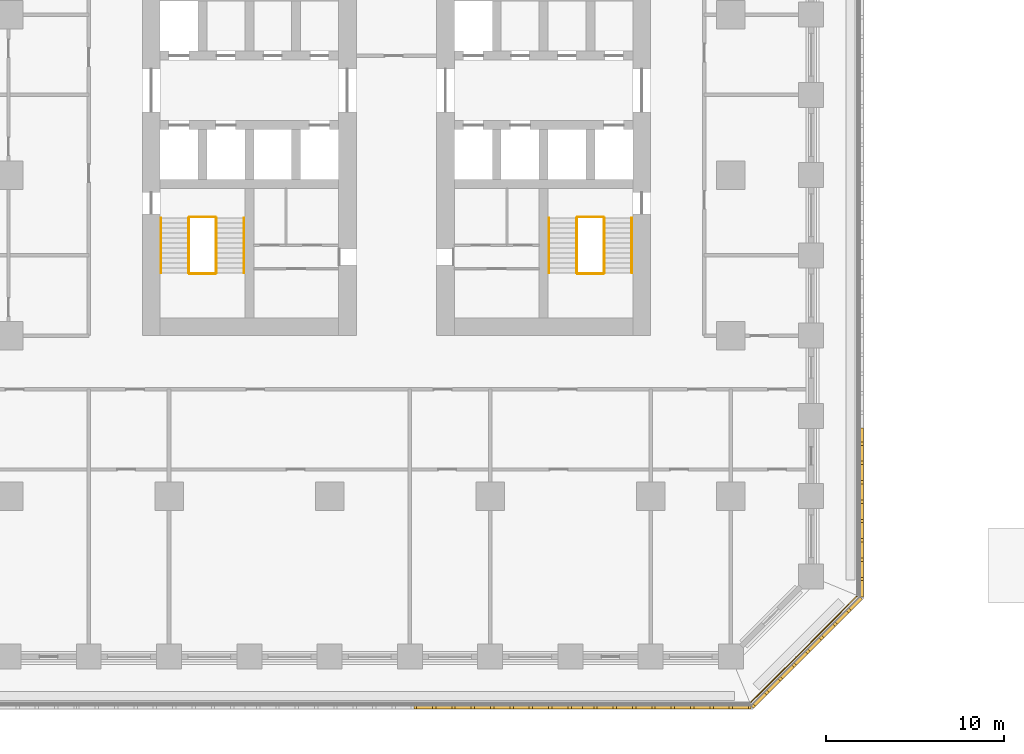
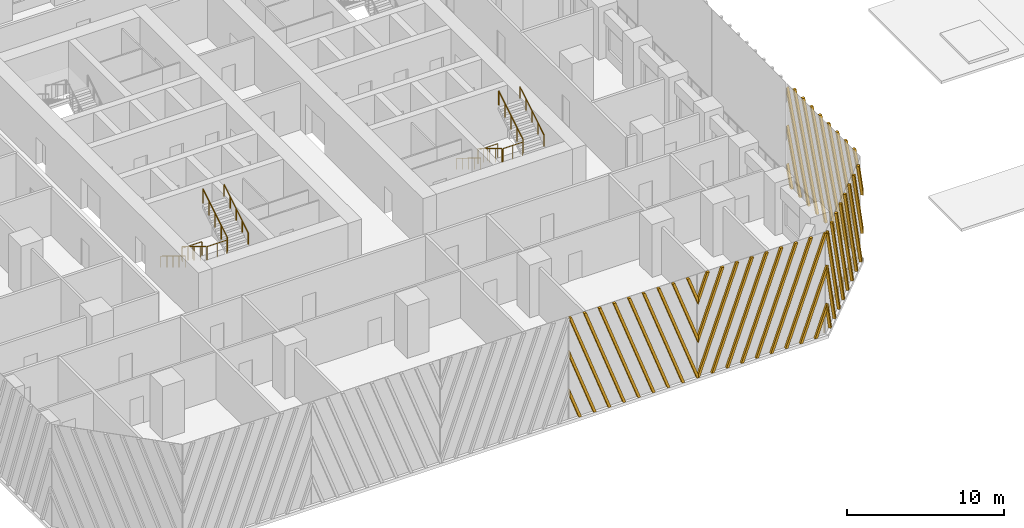
# One storey, part 11 of 15: 13 railings, 4 shading devices.
"""IFC4 building model written with IfcOpenShell, lengths in metres."""

from ifc_helpers import new_model, si_unit, direction, frame, origin, origin_2d, place, context, subcontext, project, spatial, polyline, circle, outline, extrude, source, transform, mapped, material, type_object, element, save


model = new_model("IFC4")

# Units and contexts
model_context = context("Model", 3, precision=1e-05, world=origin(), true_north=direction((0.0, 1.0)))
body_context = subcontext(model_context, "Body", "Model", "MODEL_VIEW")
ifc_project = project(units=[si_unit("LENGTHUNIT", "METRE"), si_unit("AREAUNIT", "SQUARE_METRE"), si_unit("VOLUMEUNIT", "CUBIC_METRE"), si_unit("PLANEANGLEUNIT", "RADIAN"), si_unit("MASSUNIT", "GRAM", prefix="KILO")], contexts=[model_context])

# Site, building, storey
site_placement = place(None, origin())
site = spatial("IfcSite", under=ifc_project, at=site_placement, CompositionType="ELEMENT")
building_placement = place(site_placement, origin())
building = spatial("IfcBuilding", under=site, at=building_placement, Name="Corbel Stack Research Tower", CompositionType="ELEMENT")
storey_placement = place(building_placement, frame((0.0, 0.0, 23.60009765625)))
storey = spatial("IfcBuildingStorey", under=building, at=storey_placement, Name="L05", CompositionType="ELEMENT", Elevation=23.60009765625)

# Railings
ifc_material_1 = material(Name="Steel S355", Category="steel")
railing_type_1 = type_object("IfcRailingType", Name="Stair guard 1100", PredefinedType="GUARDRAIL", material=ifc_material_1)
railing_1_placement = place(storey_placement, frame((-7.89990234375, -2.39990234375, 0.170654296875)))
element("IfcRailing", 1, at=railing_1_placement, inside=storey, type_object=railing_type_1, Name="L05 ST-W1 stair guard 1", PredefinedType="GUARDRAIL", context=body_context, shape_type="SweptSolid", body=[
    extrude(circle(Radius=0.02392578125, at=origin_2d()), frame((0.0, 0.0, 1.076171875), z_axis=(0.0, -0.853666305674, 0.52082035152), x_axis=(1.0, 0.0, 0.0)), (0.0, 0.0, 1.0), 3.608154296875),
    extrude(circle(Radius=0.02099609375, at=origin_2d()), origin(), (0.0, 0.0, 1.0), 1.052001953125),
    extrude(circle(Radius=0.02099609375, at=origin_2d()), frame((0.0, -0.77001953125, 0.4697265625)), (0.0, 0.0, 1.0), 1.052001953125),
    extrude(circle(Radius=0.02099609375, at=origin_2d()), frame((0.0, -1.5400390625, 0.939453125)), (0.0, 0.0, 1.0), 1.052001953125),
    extrude(circle(Radius=0.02099609375, at=origin_2d()), frame((0.0, -2.31005859375, 1.409423828125)), (0.0, 0.0, 1.0), 1.052001953125),
    extrude(circle(Radius=0.02099609375, at=origin_2d()), frame((0.0, -3.080078125, 1.879150390625)), (0.0, 0.0, 1.0), 1.052001953125),
])
railing_2_placement = place(storey_placement, frame((-7.85009765625, -5.530029296875, 2.0498046875)))
element("IfcRailing", 2, at=railing_2_placement, inside=storey, type_object=railing_type_1, Name="L05 ST-W1 stair guard 2", PredefinedType="GUARDRAIL", context=body_context, shape_type="SweptSolid", body=[
    extrude(circle(Radius=0.02392578125, at=origin_2d()), frame((0.0, 0.0, 1.076171875), z_axis=(1.0, 0.0, 0.0), x_axis=(0.0, 1.0, 0.0)), (0.0, 0.0, 1.0), 1.4501953125),
    extrude(circle(Radius=0.02099609375, at=origin_2d()), origin(), (0.0, 0.0, 1.0), 1.052001953125),
    extrude(circle(Radius=0.02099609375, at=origin_2d()), frame((0.72509765625, 0.0, 0.0)), (0.0, 0.0, 1.0), 1.052001953125),
    extrude(circle(Radius=0.02099609375, at=origin_2d()), frame((1.4501953125, 0.0, 0.0)), (0.0, 0.0, 1.0), 1.052001953125),
])
railing_3_placement = place(storey_placement, frame((-6.35009765625, -5.47998046875, 2.220703125)))
element("IfcRailing", 3, at=railing_3_placement, inside=storey, type_object=railing_type_1, Name="L05 ST-W1 stair guard 3", PredefinedType="GUARDRAIL", context=body_context, shape_type="SweptSolid", body=[
    extrude(circle(Radius=0.02392578125, at=origin_2d()), frame((0.0, 0.0, 1.076171875), z_axis=(0.0, 0.853666305674, 0.52082035152), x_axis=(-1.0, 0.0, 0.0)), (0.0, 0.0, 1.0), 3.608154296875),
    extrude(circle(Radius=0.02099609375, at=origin_2d()), origin(), (0.0, 0.0, 1.0), 1.052001953125),
    extrude(circle(Radius=0.02099609375, at=origin_2d()), frame((0.0, 0.77001953125, 0.4697265625)), (0.0, 0.0, 1.0), 1.052001953125),
    extrude(circle(Radius=0.02099609375, at=origin_2d()), frame((0.0, 1.5400390625, 0.939453125)), (0.0, 0.0, 1.0), 1.052001953125),
    extrude(circle(Radius=0.02099609375, at=origin_2d()), frame((0.0, 2.31005859375, 1.409423828125)), (0.0, 0.0, 1.0), 1.052001953125),
    extrude(circle(Radius=0.02099609375, at=origin_2d()), frame((0.0, 3.080078125, 1.879150390625)), (0.0, 0.0, 1.0), 1.052001953125),
])
railing_4_placement = place(storey_placement, frame((-7.85009765625, -2.35009765625, 0.0)))
element("IfcRailing", 4, at=railing_4_placement, inside=storey, type_object=railing_type_1, Name="L05 ST-W1 stair guard 4", PredefinedType="GUARDRAIL", context=body_context, shape_type="SweptSolid", body=[
    extrude(circle(Radius=0.02392578125, at=origin_2d()), frame((0.0, 0.0, 1.076171875), z_axis=(1.0, 0.0, 0.0), x_axis=(0.0, 1.0, 0.0)), (0.0, 0.0, 1.0), 1.4501953125),
    extrude(circle(Radius=0.02099609375, at=origin_2d()), origin(), (0.0, 0.0, 1.0), 1.052001953125),
    extrude(circle(Radius=0.02099609375, at=origin_2d()), frame((0.72509765625, 0.0, 0.0)), (0.0, 0.0, 1.0), 1.052001953125),
    extrude(circle(Radius=0.02099609375, at=origin_2d()), frame((1.4501953125, 0.0, 0.0)), (0.0, 0.0, 1.0), 1.052001953125),
])
railing_5_placement = place(storey_placement, frame((13.85009765625, -2.39990234375, 0.170654296875)))
element("IfcRailing", 5, at=railing_5_placement, inside=storey, type_object=railing_type_1, Name="L05 ST-E1 stair guard 1", PredefinedType="GUARDRAIL", context=body_context, shape_type="SweptSolid", body=[
    extrude(circle(Radius=0.02392578125, at=origin_2d()), frame((0.0, 0.0, 1.076171875), z_axis=(0.0, -0.853666305674, 0.52082035152), x_axis=(1.0, 0.0, 0.0)), (0.0, 0.0, 1.0), 3.608154296875),
    extrude(circle(Radius=0.02099609375, at=origin_2d()), origin(), (0.0, 0.0, 1.0), 1.052001953125),
    extrude(circle(Radius=0.02099609375, at=origin_2d()), frame((0.0, -0.77001953125, 0.4697265625)), (0.0, 0.0, 1.0), 1.052001953125),
    extrude(circle(Radius=0.02099609375, at=origin_2d()), frame((0.0, -1.5400390625, 0.939453125)), (0.0, 0.0, 1.0), 1.052001953125),
    extrude(circle(Radius=0.02099609375, at=origin_2d()), frame((0.0, -2.31005859375, 1.409423828125)), (0.0, 0.0, 1.0), 1.052001953125),
    extrude(circle(Radius=0.02099609375, at=origin_2d()), frame((0.0, -3.080078125, 1.879150390625)), (0.0, 0.0, 1.0), 1.052001953125),
])
railing_6_placement = place(storey_placement, frame((13.89990234375, -5.530029296875, 2.0498046875)))
element("IfcRailing", 6, at=railing_6_placement, inside=storey, type_object=railing_type_1, Name="L05 ST-E1 stair guard 2", PredefinedType="GUARDRAIL", context=body_context, shape_type="SweptSolid", body=[
    extrude(circle(Radius=0.02392578125, at=origin_2d()), frame((0.0, 0.0, 1.076171875), z_axis=(1.0, 0.0, 0.0), x_axis=(0.0, 1.0, 0.0)), (0.0, 0.0, 1.0), 1.4501953125),
    extrude(circle(Radius=0.02099609375, at=origin_2d()), origin(), (0.0, 0.0, 1.0), 1.052001953125),
    extrude(circle(Radius=0.02099609375, at=origin_2d()), frame((0.72509765625, 0.0, 0.0)), (0.0, 0.0, 1.0), 1.052001953125),
    extrude(circle(Radius=0.02099609375, at=origin_2d()), frame((1.4501953125, 0.0, 0.0)), (0.0, 0.0, 1.0), 1.052001953125),
])
railing_7_placement = place(storey_placement, frame((15.39990234375, -5.47998046875, 2.220703125)))
element("IfcRailing", 7, at=railing_7_placement, inside=storey, type_object=railing_type_1, Name="L05 ST-E1 stair guard 3", PredefinedType="GUARDRAIL", context=body_context, shape_type="SweptSolid", body=[
    extrude(circle(Radius=0.02392578125, at=origin_2d()), frame((0.0, 0.0, 1.076171875), z_axis=(0.0, 0.853666305674, 0.52082035152), x_axis=(-1.0, 0.0, 0.0)), (0.0, 0.0, 1.0), 3.608154296875),
    extrude(circle(Radius=0.02099609375, at=origin_2d()), origin(), (0.0, 0.0, 1.0), 1.052001953125),
    extrude(circle(Radius=0.02099609375, at=origin_2d()), frame((0.0, 0.77001953125, 0.4697265625)), (0.0, 0.0, 1.0), 1.052001953125),
    extrude(circle(Radius=0.02099609375, at=origin_2d()), frame((0.0, 1.5400390625, 0.939453125)), (0.0, 0.0, 1.0), 1.052001953125),
    extrude(circle(Radius=0.02099609375, at=origin_2d()), frame((0.0, 2.31005859375, 1.409423828125)), (0.0, 0.0, 1.0), 1.052001953125),
    extrude(circle(Radius=0.02099609375, at=origin_2d()), frame((0.0, 3.080078125, 1.879150390625)), (0.0, 0.0, 1.0), 1.052001953125),
])
railing_8_placement = place(storey_placement, frame((13.89990234375, -2.35009765625, 0.0)))
element("IfcRailing", 8, at=railing_8_placement, inside=storey, type_object=railing_type_1, Name="L05 ST-E1 stair guard 4", PredefinedType="GUARDRAIL", context=body_context, shape_type="SweptSolid", body=[
    extrude(circle(Radius=0.02392578125, at=origin_2d()), frame((0.0, 0.0, 1.076171875), z_axis=(1.0, 0.0, 0.0), x_axis=(0.0, 1.0, 0.0)), (0.0, 0.0, 1.0), 1.4501953125),
    extrude(circle(Radius=0.02099609375, at=origin_2d()), origin(), (0.0, 0.0, 1.0), 1.052001953125),
    extrude(circle(Radius=0.02099609375, at=origin_2d()), frame((0.72509765625, 0.0, 0.0)), (0.0, 0.0, 1.0), 1.052001953125),
    extrude(circle(Radius=0.02099609375, at=origin_2d()), frame((1.4501953125, 0.0, 0.0)), (0.0, 0.0, 1.0), 1.052001953125),
])
ifc_material_2 = material(Name="Steel S355", Category="steel")
railing_type_2 = type_object("IfcRailingType", Name="Stair handrail 900", PredefinedType="HANDRAIL", material=ifc_material_2)
railing_9_placement = place(storey_placement, frame((-9.449951171875, -2.39990234375, 0.170654296875)))
element("IfcRailing", 9, at=railing_9_placement, inside=storey, type_object=railing_type_2, Name="L05 ST-W1 stair handrail 1", PredefinedType="HANDRAIL", context=body_context, shape_type="SweptSolid", body=[
    extrude(circle(Radius=0.02392578125, at=origin_2d()), frame((0.0, 0.0, 0.8759765625), z_axis=(0.0, -0.853666305674, 0.52082035152), x_axis=(1.0, 0.0, 0.0)), (0.0, 0.0, 1.0), 3.608154296875),
    extrude(circle(Radius=0.02099609375, at=origin_2d()), origin(), (0.0, 0.0, 1.0), 0.851806640625),
    extrude(circle(Radius=0.02099609375, at=origin_2d()), frame((0.0, -0.77001953125, 0.4697265625)), (0.0, 0.0, 1.0), 0.851806640625),
    extrude(circle(Radius=0.02099609375, at=origin_2d()), frame((0.0, -1.5400390625, 0.939453125)), (0.0, 0.0, 1.0), 0.851806640625),
    extrude(circle(Radius=0.02099609375, at=origin_2d()), frame((0.0, -2.31005859375, 1.409423828125)), (0.0, 0.0, 1.0), 0.851806640625),
    extrude(circle(Radius=0.02099609375, at=origin_2d()), frame((0.0, -3.080078125, 1.879150390625)), (0.0, 0.0, 1.0), 0.851806640625),
])
railing_10_placement = place(storey_placement, frame((-4.800048828125, -5.47998046875, 2.220703125)))
element("IfcRailing", 10, at=railing_10_placement, inside=storey, type_object=railing_type_2, Name="L05 ST-W1 stair handrail 2", PredefinedType="HANDRAIL", context=body_context, shape_type="SweptSolid", body=[
    extrude(circle(Radius=0.02392578125, at=origin_2d()), frame((0.0, 0.0, 0.8759765625), z_axis=(0.0, 0.853666305674, 0.52082035152), x_axis=(-1.0, 0.0, 0.0)), (0.0, 0.0, 1.0), 3.608154296875),
    extrude(circle(Radius=0.02099609375, at=origin_2d()), origin(), (0.0, 0.0, 1.0), 0.851806640625),
    extrude(circle(Radius=0.02099609375, at=origin_2d()), frame((0.0, 0.77001953125, 0.4697265625)), (0.0, 0.0, 1.0), 0.851806640625),
    extrude(circle(Radius=0.02099609375, at=origin_2d()), frame((0.0, 1.5400390625, 0.939453125)), (0.0, 0.0, 1.0), 0.851806640625),
    extrude(circle(Radius=0.02099609375, at=origin_2d()), frame((0.0, 2.31005859375, 1.409423828125)), (0.0, 0.0, 1.0), 0.851806640625),
    extrude(circle(Radius=0.02099609375, at=origin_2d()), frame((0.0, 3.080078125, 1.879150390625)), (0.0, 0.0, 1.0), 0.851806640625),
])
railing_11_placement = place(storey_placement, frame((12.300048828125, -2.39990234375, 0.170654296875)))
element("IfcRailing", 11, at=railing_11_placement, inside=storey, type_object=railing_type_2, Name="L05 ST-E1 stair handrail 1", PredefinedType="HANDRAIL", context=body_context, shape_type="SweptSolid", body=[
    extrude(circle(Radius=0.02392578125, at=origin_2d()), frame((0.0, 0.0, 0.8759765625), z_axis=(0.0, -0.853666305674, 0.52082035152), x_axis=(1.0, 0.0, 0.0)), (0.0, 0.0, 1.0), 3.608154296875),
    extrude(circle(Radius=0.02099609375, at=origin_2d()), origin(), (0.0, 0.0, 1.0), 0.851806640625),
    extrude(circle(Radius=0.02099609375, at=origin_2d()), frame((0.0, -0.77001953125, 0.4697265625)), (0.0, 0.0, 1.0), 0.851806640625),
    extrude(circle(Radius=0.02099609375, at=origin_2d()), frame((0.0, -1.5400390625, 0.939453125)), (0.0, 0.0, 1.0), 0.851806640625),
    extrude(circle(Radius=0.02099609375, at=origin_2d()), frame((0.0, -2.31005859375, 1.409423828125)), (0.0, 0.0, 1.0), 0.851806640625),
    extrude(circle(Radius=0.02099609375, at=origin_2d()), frame((0.0, -3.080078125, 1.879150390625)), (0.0, 0.0, 1.0), 0.851806640625),
])
railing_12_placement = place(storey_placement, frame((16.949951171875, -5.47998046875, 2.220703125)))
element("IfcRailing", 12, at=railing_12_placement, inside=storey, type_object=railing_type_2, Name="L05 ST-E1 stair handrail 2", PredefinedType="HANDRAIL", context=body_context, shape_type="SweptSolid", body=[
    extrude(circle(Radius=0.02392578125, at=origin_2d()), frame((0.0, 0.0, 0.8759765625), z_axis=(0.0, 0.853666305674, 0.52082035152), x_axis=(-1.0, 0.0, 0.0)), (0.0, 0.0, 1.0), 3.608154296875),
    extrude(circle(Radius=0.02099609375, at=origin_2d()), origin(), (0.0, 0.0, 1.0), 0.851806640625),
    extrude(circle(Radius=0.02099609375, at=origin_2d()), frame((0.0, 0.77001953125, 0.4697265625)), (0.0, 0.0, 1.0), 0.851806640625),
    extrude(circle(Radius=0.02099609375, at=origin_2d()), frame((0.0, 1.5400390625, 0.939453125)), (0.0, 0.0, 1.0), 0.851806640625),
    extrude(circle(Radius=0.02099609375, at=origin_2d()), frame((0.0, 2.31005859375, 1.409423828125)), (0.0, 0.0, 1.0), 0.851806640625),
    extrude(circle(Radius=0.02099609375, at=origin_2d()), frame((0.0, 3.080078125, 1.879150390625)), (0.0, 0.0, 1.0), 0.851806640625),
])
ifc_material_3 = material(Name="Powder-coated steel guard", Category="steel")
railing_type_3 = type_object("IfcRailingType", Name="Steel and glass guard 1100", PredefinedType="GUARDRAIL", material=ifc_material_3)
railing_13_placement = place(storey_placement, frame((23.627685546875, -29.54931640625, 0.0)))
element("IfcRailing", 13, at=railing_13_placement, inside=storey, type_object=railing_type_3, Name="Loggia guard L05 SE", PredefinedType="GUARDRAIL", context=body_context, shape_type="SweptSolid", body=[
    extrude(circle(Radius=0.02392578125, at=origin_2d()), frame((0.0, 0.0, 1.076171875), z_axis=(0.707106781187, 0.707106781187, 0.0), x_axis=(-0.707106781187, 0.707106781187, 0.0)), (0.0, 0.0, 1.0), 8.37451171875),
    extrude(circle(Radius=0.02099609375, at=origin_2d()), origin(), (0.0, 0.0, 1.0), 1.052001953125),
    extrude(circle(Radius=0.02099609375, at=origin_2d()), frame((0.845947265625, 0.845947265625, 0.0)), (0.0, 0.0, 1.0), 1.052001953125),
    extrude(circle(Radius=0.02099609375, at=origin_2d()), frame((1.69189453125, 1.69189453125, 0.0)), (0.0, 0.0, 1.0), 1.052001953125),
    extrude(circle(Radius=0.02099609375, at=origin_2d()), frame((2.537841796875, 2.537841796875, 0.0)), (0.0, 0.0, 1.0), 1.052001953125),
    extrude(circle(Radius=0.02099609375, at=origin_2d()), frame((3.3837890625, 3.3837890625, 0.0)), (0.0, 0.0, 1.0), 1.052001953125),
    extrude(circle(Radius=0.02099609375, at=origin_2d()), frame((4.229736328125, 4.229736328125, 0.0)), (0.0, 0.0, 1.0), 1.052001953125),
    extrude(circle(Radius=0.02099609375, at=origin_2d()), frame((5.07568359375, 5.07568359375, 0.0)), (0.0, 0.0, 1.0), 1.052001953125),
    extrude(circle(Radius=0.02099609375, at=origin_2d()), frame((5.921630859375, 5.921630859375, 0.0)), (0.0, 0.0, 1.0), 1.052001953125),
])

# Shading devices
ifc_material_4 = material(Name="Precast terracotta", Category="masonry")
shading_device_type = type_object("IfcShadingDeviceType", Name="Terracotta screen panel", PredefinedType="USERDEFINED", material=ifc_material_4)
shared_shape_1 = source(origin(), body_context, "Body", "SweptSolid", [
    extrude(outline(polyline([(0.819091796875, 7.949951171875), (0.629150390625, 7.949951171875), (0.0, 6.22119140625), (0.0, 5.69921875), (0.819091796875, 7.949951171875)])), frame((0.0, 0.0, 0.0), z_axis=(0.0, -1.0, 0.0), x_axis=(1.0, 0.0, 0.0)), (0.0, 0.0, 1.0), 0.179931640625),
    extrude(outline(polyline([(1.90380859375, 7.949951171875), (1.7138671875, 7.949951171875), (0.0, 3.2412109375), (0.0, 2.718994140625), (1.90380859375, 7.949951171875)])), frame((0.0, 0.0, 0.0), z_axis=(0.0, -1.0, 0.0), x_axis=(1.0, 0.0, 0.0)), (0.0, 0.0, 1.0), 0.179931640625),
    extrude(outline(polyline([(0.094970703125, 0.0), (2.988525390625, 7.949951171875), (2.798583984375, 7.949951171875), (0.0, 0.260986328125), (0.0, 0.0), (0.094970703125, 0.0)])), frame((0.0, 0.0, 0.0), z_axis=(0.0, -1.0, 0.0), x_axis=(1.0, 0.0, 0.0)), (0.0, 0.0, 1.0), 0.179931640625),
    extrude(outline(polyline([(1.1796875, 0.0), (4.0732421875, 7.949951171875), (3.88330078125, 7.949951171875), (0.98974609375, 0.0), (1.1796875, 0.0)])), frame((0.0, 0.0, 0.0), z_axis=(0.0, -1.0, 0.0), x_axis=(1.0, 0.0, 0.0)), (0.0, 0.0, 1.0), 0.179931640625),
    extrude(outline(polyline([(2.264404296875, 0.0), (5.157958984375, 7.949951171875), (4.968017578125, 7.949951171875), (2.07421875, 0.0), (2.264404296875, 0.0)])), frame((0.0, 0.0, 0.0), z_axis=(0.0, -1.0, 0.0), x_axis=(1.0, 0.0, 0.0)), (0.0, 0.0, 1.0), 0.179931640625),
    extrude(outline(polyline([(3.34912109375, 0.0), (6.24267578125, 7.949951171875), (6.052490234375, 7.949951171875), (3.158935546875, 0.0), (3.34912109375, 0.0)])), frame((0.0, 0.0, 0.0), z_axis=(0.0, -1.0, 0.0), x_axis=(1.0, 0.0, 0.0)), (0.0, 0.0, 1.0), 0.179931640625),
    extrude(outline(polyline([(4.43359375, 0.0), (7.3271484375, 7.949951171875), (7.13720703125, 7.949951171875), (4.24365234375, 0.0), (4.43359375, 0.0)])), frame((0.0, 0.0, 0.0), z_axis=(0.0, -1.0, 0.0), x_axis=(1.0, 0.0, 0.0)), (0.0, 0.0, 1.0), 0.179931640625),
    extrude(outline(polyline([(5.518310546875, 0.0), (8.411865234375, 7.949951171875), (8.221923828125, 7.949951171875), (5.328369140625, 0.0), (5.518310546875, 0.0)])), frame((0.0, 0.0, 0.0), z_axis=(0.0, -1.0, 0.0), x_axis=(1.0, 0.0, 0.0)), (0.0, 0.0, 1.0), 0.179931640625),
    extrude(outline(polyline([(6.60302734375, 0.0), (9.45556640625, 7.837646484375), (9.45556640625, 7.949951171875), (9.306640625, 7.949951171875), (6.4130859375, 0.0), (6.60302734375, 0.0)])), frame((0.0, 0.0, 0.0), z_axis=(0.0, -1.0, 0.0), x_axis=(1.0, 0.0, 0.0)), (0.0, 0.0, 1.0), 0.179931640625),
    extrude(outline(polyline([(7.687744140625, 0.0), (9.45556640625, 4.857421875), (9.45556640625, 5.37939453125), (7.497802734375, 0.0), (7.687744140625, 0.0)])), frame((0.0, 0.0, 0.0), z_axis=(0.0, -1.0, 0.0), x_axis=(1.0, 0.0, 0.0)), (0.0, 0.0, 1.0), 0.179931640625),
    extrude(outline(polyline([(8.772216796875, 0.0), (9.45556640625, 1.87744140625), (9.45556640625, 2.3994140625), (8.582275390625, 0.0), (8.772216796875, 0.0)])), frame((0.0, 0.0, 0.0), z_axis=(0.0, -1.0, 0.0), x_axis=(1.0, 0.0, 0.0)), (0.0, 0.0, 1.0), 0.179931640625),
])
shading_device_1_placement = place(storey_placement, frame((14.18359375, -29.75, 0.0), z_axis=(0.0, 0.0, 1.0), x_axis=(1.0, 0.0, 0.0)))
element("IfcShadingDevice", 14, at=shading_device_1_placement, inside=storey, type_object=shading_device_type, Name="Terracotta screen L05 S5", ObjectType="SCREEN", PredefinedType="USERDEFINED", context=body_context, shape_type="MappedRepresentation", body=[
    mapped(shared_shape_1, transform((0.0, 0.0, 0.0))),
])
shared_shape_2 = source(origin(), body_context, "Body", "SweptSolid", [
    extrude(outline(polyline([(0.873291015625, 0.0), (0.0, 2.3994140625), (0.0, 1.87744140625), (0.683349609375, 0.0), (0.873291015625, 0.0)])), frame((0.0, 0.0, 0.0), z_axis=(0.0, -1.0, 0.0), x_axis=(1.0, 0.0, 0.0)), (0.0, 0.0, 1.0), 0.179931640625),
    extrude(outline(polyline([(1.9580078125, 0.0), (0.0, 5.37939453125), (0.0, 4.857421875), (1.76806640625, 0.0), (1.9580078125, 0.0)])), frame((0.0, 0.0, 0.0), z_axis=(0.0, -1.0, 0.0), x_axis=(1.0, 0.0, 0.0)), (0.0, 0.0, 1.0), 0.179931640625),
    extrude(outline(polyline([(3.04248046875, 0.0), (0.149169921875, 7.949951171875), (0.0, 7.949951171875), (0.0, 7.837646484375), (2.8525390625, 0.0), (3.04248046875, 0.0)])), frame((0.0, 0.0, 0.0), z_axis=(0.0, -1.0, 0.0), x_axis=(1.0, 0.0, 0.0)), (0.0, 0.0, 1.0), 0.179931640625),
    extrude(outline(polyline([(4.127197265625, 0.0), (1.233642578125, 7.949951171875), (1.043701171875, 7.949951171875), (3.937255859375, 0.0), (4.127197265625, 0.0)])), frame((0.0, 0.0, 0.0), z_axis=(0.0, -1.0, 0.0), x_axis=(1.0, 0.0, 0.0)), (0.0, 0.0, 1.0), 0.179931640625),
    extrude(outline(polyline([(5.2119140625, 0.0), (2.318359375, 7.949951171875), (2.12841796875, 7.949951171875), (5.02197265625, 0.0), (5.2119140625, 0.0)])), frame((0.0, 0.0, 0.0), z_axis=(0.0, -1.0, 0.0), x_axis=(1.0, 0.0, 0.0)), (0.0, 0.0, 1.0), 0.179931640625),
    extrude(outline(polyline([(6.296630859375, 0.0), (3.403076171875, 7.949951171875), (3.213134765625, 7.949951171875), (6.106689453125, 0.0), (6.296630859375, 0.0)])), frame((0.0, 0.0, 0.0), z_axis=(0.0, -1.0, 0.0), x_axis=(1.0, 0.0, 0.0)), (0.0, 0.0, 1.0), 0.179931640625),
    extrude(outline(polyline([(7.38134765625, 0.0), (4.48779296875, 7.949951171875), (4.297607421875, 7.949951171875), (7.19140625, 0.0), (7.38134765625, 0.0)])), frame((0.0, 0.0, 0.0), z_axis=(0.0, -1.0, 0.0), x_axis=(1.0, 0.0, 0.0)), (0.0, 0.0, 1.0), 0.179931640625),
    extrude(outline(polyline([(8.466064453125, 0.0), (5.572509765625, 7.949951171875), (5.38232421875, 7.949951171875), (8.27587890625, 0.0), (8.466064453125, 0.0)])), frame((0.0, 0.0, 0.0), z_axis=(0.0, -1.0, 0.0), x_axis=(1.0, 0.0, 0.0)), (0.0, 0.0, 1.0), 0.179931640625),
    extrude(outline(polyline([(9.45556640625, 0.0), (9.45556640625, 0.260986328125), (6.656982421875, 7.949951171875), (6.467041015625, 7.949951171875), (9.360595703125, 0.0), (9.45556640625, 0.0)])), frame((0.0, 0.0, 0.0), z_axis=(0.0, -1.0, 0.0), x_axis=(1.0, 0.0, 0.0)), (0.0, 0.0, 1.0), 0.179931640625),
    extrude(outline(polyline([(7.74169921875, 7.949951171875), (7.5517578125, 7.949951171875), (9.45556640625, 2.718994140625), (9.45556640625, 3.2412109375), (7.74169921875, 7.949951171875)])), frame((0.0, 0.0, 0.0), z_axis=(0.0, -1.0, 0.0), x_axis=(1.0, 0.0, 0.0)), (0.0, 0.0, 1.0), 0.179931640625),
    extrude(outline(polyline([(8.826416015625, 7.949951171875), (8.636474609375, 7.949951171875), (9.45556640625, 5.69921875), (9.45556640625, 6.22119140625), (8.826416015625, 7.949951171875)])), frame((0.0, 0.0, 0.0), z_axis=(0.0, -1.0, 0.0), x_axis=(1.0, 0.0, 0.0)), (0.0, 0.0, 1.0), 0.179931640625),
])
shading_device_2_placement = place(storey_placement, frame((4.727783203125, -29.75, 0.0), z_axis=(0.0, 0.0, 1.0), x_axis=(1.0, 0.0, 0.0)))
element("IfcShadingDevice", 15, at=shading_device_2_placement, inside=storey, type_object=shading_device_type, Name="Terracotta screen L05 S4", ObjectType="SCREEN", PredefinedType="USERDEFINED", context=body_context, shape_type="MappedRepresentation", body=[
    mapped(shared_shape_2, transform((0.0, 0.0, 0.0))),
])
shared_shape_3 = source(origin(), body_context, "Body", "SweptSolid", [
    extrude(outline(polyline([(1.09033203125, 7.949951171875), (0.900390625, 7.949951171875), (0.0, 5.476318359375), (0.0, 4.9541015625), (1.09033203125, 7.949951171875)])), frame((0.0, 0.0, 0.0), z_axis=(0.0, -1.0, 0.0), x_axis=(1.0, 0.0, 0.0)), (0.0, 0.0, 1.0), 0.179931640625),
    extrude(outline(polyline([(2.175048828125, 7.949951171875), (1.985107421875, 7.949951171875), (0.0, 2.49609375), (0.0, 1.97412109375), (2.175048828125, 7.949951171875)])), frame((0.0, 0.0, 0.0), z_axis=(0.0, -1.0, 0.0), x_axis=(1.0, 0.0, 0.0)), (0.0, 0.0, 1.0), 0.179931640625),
    extrude(outline(polyline([(0.3662109375, 0.0), (3.259765625, 7.949951171875), (3.069580078125, 7.949951171875), (0.17626953125, 0.0), (0.3662109375, 0.0)])), frame((0.0, 0.0, 0.0), z_axis=(0.0, -1.0, 0.0), x_axis=(1.0, 0.0, 0.0)), (0.0, 0.0, 1.0), 0.179931640625),
    extrude(outline(polyline([(1.45068359375, 0.0), (4.344482421875, 7.949951171875), (4.154296875, 7.949951171875), (1.2607421875, 0.0), (1.45068359375, 0.0)])), frame((0.0, 0.0, 0.0), z_axis=(0.0, -1.0, 0.0), x_axis=(1.0, 0.0, 0.0)), (0.0, 0.0, 1.0), 0.179931640625),
    extrude(outline(polyline([(2.535400390625, 0.0), (5.42919921875, 7.949951171875), (5.239013671875, 7.949951171875), (2.345458984375, 0.0), (2.535400390625, 0.0)])), frame((0.0, 0.0, 0.0), z_axis=(0.0, -1.0, 0.0), x_axis=(1.0, 0.0, 0.0)), (0.0, 0.0, 1.0), 0.179931640625),
    extrude(outline(polyline([(3.6201171875, 0.0), (6.513671875, 7.949951171875), (6.32373046875, 7.949951171875), (3.43017578125, 0.0), (3.6201171875, 0.0)])), frame((0.0, 0.0, 0.0), z_axis=(0.0, -1.0, 0.0), x_axis=(1.0, 0.0, 0.0)), (0.0, 0.0, 1.0), 0.179931640625),
    extrude(outline(polyline([(4.704833984375, 0.0), (7.598388671875, 7.949951171875), (7.408447265625, 7.949951171875), (4.514892578125, 0.0), (4.704833984375, 0.0)])), frame((0.0, 0.0, 0.0), z_axis=(0.0, -1.0, 0.0), x_axis=(1.0, 0.0, 0.0)), (0.0, 0.0, 1.0), 0.179931640625),
    extrude(outline(polyline([(5.78955078125, 0.0), (8.68310546875, 7.949951171875), (8.4931640625, 7.949951171875), (5.599609375, 0.0), (5.78955078125, 0.0)])), frame((0.0, 0.0, 0.0), z_axis=(0.0, -1.0, 0.0), x_axis=(1.0, 0.0, 0.0)), (0.0, 0.0, 1.0), 0.179931640625),
    extrude(outline(polyline([(6.874267578125, 0.0), (9.45556640625, 7.092529296875), (9.45556640625, 7.614501953125), (6.68408203125, 0.0), (6.874267578125, 0.0)])), frame((0.0, 0.0, 0.0), z_axis=(0.0, -1.0, 0.0), x_axis=(1.0, 0.0, 0.0)), (0.0, 0.0, 1.0), 0.179931640625),
    extrude(outline(polyline([(7.958740234375, 0.0), (9.45556640625, 4.1123046875), (9.45556640625, 4.634521484375), (7.768798828125, 0.0), (7.958740234375, 0.0)])), frame((0.0, 0.0, 0.0), z_axis=(0.0, -1.0, 0.0), x_axis=(1.0, 0.0, 0.0)), (0.0, 0.0, 1.0), 0.179931640625),
    extrude(outline(polyline([(9.04345703125, 0.0), (9.45556640625, 1.13232421875), (9.45556640625, 1.654296875), (8.853515625, 0.0), (9.04345703125, 0.0)])), frame((0.0, 0.0, 0.0), z_axis=(0.0, -1.0, 0.0), x_axis=(1.0, 0.0, 0.0)), (0.0, 0.0, 1.0), 0.179931640625),
])
shading_device_3_placement = place(storey_placement, frame((29.75, -23.63916015625, 0.0), z_axis=(0.0, 0.0, 1.0), x_axis=(0.0, 1.0, 0.0)))
element("IfcShadingDevice", 16, at=shading_device_3_placement, inside=storey, type_object=shading_device_type, Name="Terracotta screen L05 E1", ObjectType="SCREEN", PredefinedType="USERDEFINED", context=body_context, shape_type="MappedRepresentation", body=[
    mapped(shared_shape_3, transform((0.0, 0.0, 0.0))),
])
shared_shape_4 = source(origin(), body_context, "Body", "SweptSolid", [
    extrude(outline(polyline([(0.873291015625, 0.0), (0.0, 2.3994140625), (0.0, 1.87744140625), (0.683349609375, 0.0), (0.873291015625, 0.0)])), frame((0.0, 0.0, 0.0), z_axis=(0.0, -1.0, 0.0), x_axis=(1.0, 0.0, 0.0)), (0.0, 0.0, 1.0), 0.179931640625),
    extrude(outline(polyline([(1.9580078125, 0.0), (0.0, 5.37939453125), (0.0, 4.857421875), (1.76806640625, 0.0), (1.9580078125, 0.0)])), frame((0.0, 0.0, 0.0), z_axis=(0.0, -1.0, 0.0), x_axis=(1.0, 0.0, 0.0)), (0.0, 0.0, 1.0), 0.179931640625),
    extrude(outline(polyline([(3.04248046875, 0.0), (0.149169921875, 7.949951171875), (0.0, 7.949951171875), (0.0, 7.837646484375), (2.8525390625, 0.0), (3.04248046875, 0.0)])), frame((0.0, 0.0, 0.0), z_axis=(0.0, -1.0, 0.0), x_axis=(1.0, 0.0, 0.0)), (0.0, 0.0, 1.0), 0.179931640625),
    extrude(outline(polyline([(4.127197265625, 0.0), (1.233642578125, 7.949951171875), (1.043701171875, 7.949951171875), (3.937255859375, 0.0), (4.127197265625, 0.0)])), frame((0.0, 0.0, 0.0), z_axis=(0.0, -1.0, 0.0), x_axis=(1.0, 0.0, 0.0)), (0.0, 0.0, 1.0), 0.179931640625),
    extrude(outline(polyline([(5.2119140625, 0.0), (2.318359375, 7.949951171875), (2.12841796875, 7.949951171875), (5.02197265625, 0.0), (5.2119140625, 0.0)])), frame((0.0, 0.0, 0.0), z_axis=(0.0, -1.0, 0.0), x_axis=(1.0, 0.0, 0.0)), (0.0, 0.0, 1.0), 0.179931640625),
    extrude(outline(polyline([(6.296630859375, 0.0), (3.403076171875, 7.949951171875), (3.213134765625, 7.949951171875), (6.106689453125, 0.0), (6.296630859375, 0.0)])), frame((0.0, 0.0, 0.0), z_axis=(0.0, -1.0, 0.0), x_axis=(1.0, 0.0, 0.0)), (0.0, 0.0, 1.0), 0.179931640625),
    extrude(outline(polyline([(7.38134765625, 0.0), (4.48779296875, 7.949951171875), (4.297607421875, 7.949951171875), (7.19140625, 0.0), (7.38134765625, 0.0)])), frame((0.0, 0.0, 0.0), z_axis=(0.0, -1.0, 0.0), x_axis=(1.0, 0.0, 0.0)), (0.0, 0.0, 1.0), 0.179931640625),
    extrude(outline(polyline([(8.466064453125, 0.0), (5.572509765625, 7.949951171875), (5.38232421875, 7.949951171875), (8.27587890625, 0.0), (8.466064453125, 0.0)])), frame((0.0, 0.0, 0.0), z_axis=(0.0, -1.0, 0.0), x_axis=(1.0, 0.0, 0.0)), (0.0, 0.0, 1.0), 0.179931640625),
    extrude(outline(polyline([(6.656982421875, 7.949951171875), (6.467041015625, 7.949951171875), (8.64208984375, 1.97412109375), (8.64208984375, 2.49609375), (6.656982421875, 7.949951171875)])), frame((0.0, 0.0, 0.0), z_axis=(0.0, -1.0, 0.0), x_axis=(1.0, 0.0, 0.0)), (0.0, 0.0, 1.0), 0.179931640625),
    extrude(outline(polyline([(7.74169921875, 7.949951171875), (7.5517578125, 7.949951171875), (8.64208984375, 4.9541015625), (8.64208984375, 5.476318359375), (7.74169921875, 7.949951171875)])), frame((0.0, 0.0, 0.0), z_axis=(0.0, -1.0, 0.0), x_axis=(1.0, 0.0, 0.0)), (0.0, 0.0, 1.0), 0.179931640625),
])
shading_device_4_placement = place(storey_placement, frame((23.63916015625, -29.75, 0.0), z_axis=(0.0, 0.0, 1.0), x_axis=(0.707106781187, 0.707106781187, 0.0)))
element("IfcShadingDevice", 17, at=shading_device_4_placement, inside=storey, type_object=shading_device_type, Name="Terracotta screen L05 SE1", ObjectType="SCREEN", PredefinedType="USERDEFINED", context=body_context, shape_type="MappedRepresentation", body=[
    mapped(shared_shape_4, transform((0.0, 0.0, 0.0))),
])

save(model, "model.ifc")
